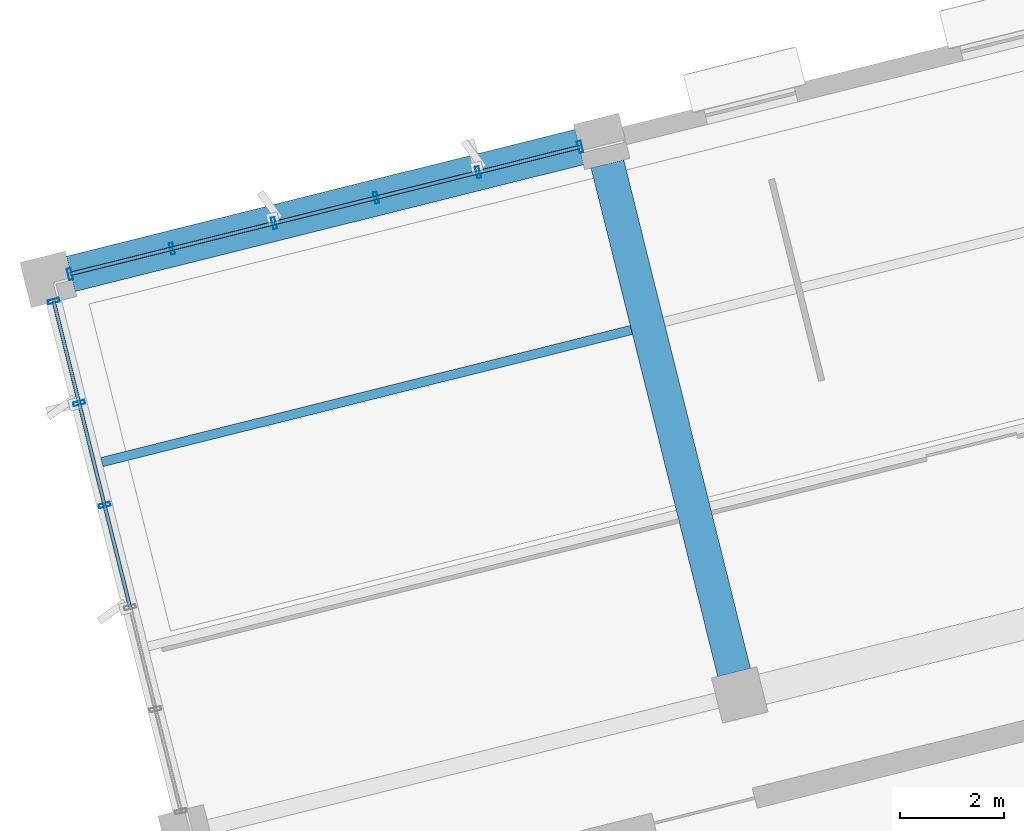
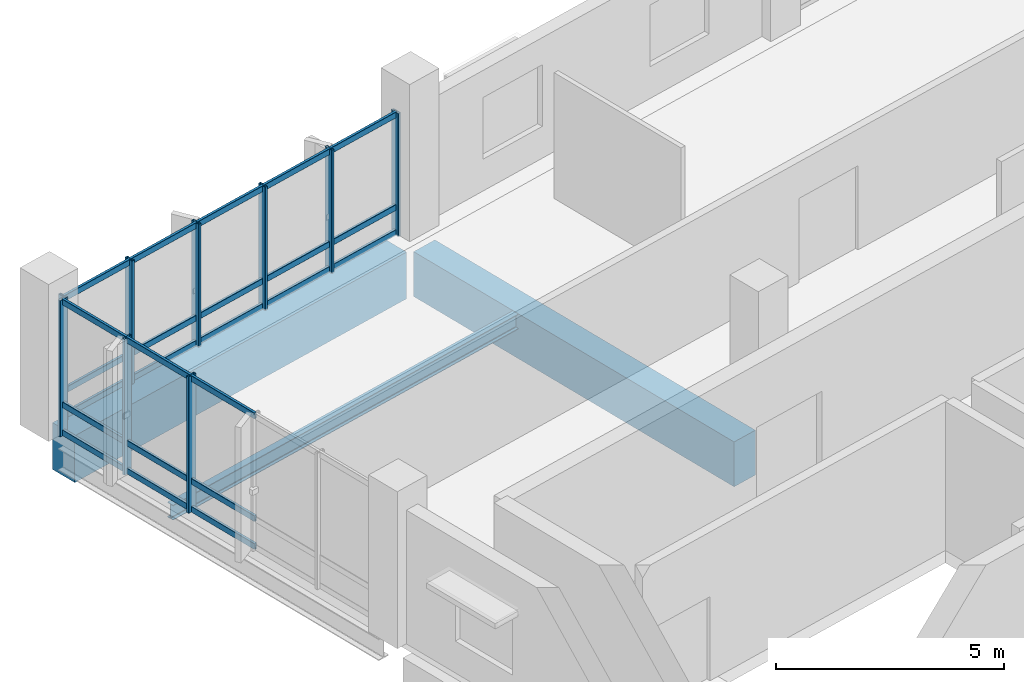
# One storey, part 5 of 22: 33 members, 3 beams, 2 elements without a shape of their own.
"""IFC4 building model written with IfcOpenShell, lengths in metres."""

from ifc_helpers import new_model, si_unit, direction, frame, origin, origin_2d, place, context, subcontext, project, spatial, rectangle, hollow_rectangle, i_section, extrude, material, layer, layer_set, material_profile, profile_set, type_object, element, aggregate, save


model = new_model("IFC4")

# Units and contexts
model_context = context("Model", 3, precision=1e-05, world=origin(), true_north=direction((0.0, 1.0)))
body_context = subcontext(model_context, "Body", "Model", "MODEL_VIEW")
ifc_project = project(units=[si_unit("LENGTHUNIT", "METRE"), si_unit("AREAUNIT", "SQUARE_METRE"), si_unit("VOLUMEUNIT", "CUBIC_METRE"), si_unit("PLANEANGLEUNIT", "RADIAN"), si_unit("MASSUNIT", "GRAM", prefix="KILO")], contexts=[model_context])

# Site, building, storey
site_placement = place(None, origin())
site = spatial("IfcSite", under=ifc_project, at=site_placement, CompositionType="ELEMENT")
building_placement = place(site_placement, origin())
building = spatial("IfcBuilding", under=site, at=building_placement, Name="Khorjan Park Terminus", CompositionType="ELEMENT")
storey_placement = place(building_placement, frame((0.0, 0.0, 24.6)))
storey = spatial("IfcBuildingStorey", under=building, at=storey_placement, Name="L05", CompositionType="ELEMENT", Elevation=24.6)

# Beams
ifc_material_1 = material(Name="Concrete C40/50", Category="concrete")
ifc_material_profile_1 = material_profile(ifc_material_1, rectangle(XDim=0.65, YDim=1.2, at=origin_2d()), Name="RC 650x1200")
ifc_profile_set_1 = profile_set([ifc_material_profile_1], Name="Concrete C40/50")
beam_type_1 = type_object("IfcBeamType", Name="BM-RC650x1200", PredefinedType="BEAM", material=ifc_profile_set_1)
beam_1_placement = place(storey_placement, frame((184.5777, 18.4273, -0.93), z_axis=(-0.241918830968, 0.970296490369, 0.0), x_axis=(-0.970296490369, -0.241918830968, 0.0)))
element("IfcBeam", 1, at=beam_1_placement, inside=storey, type_object=beam_type_1, Name="Primary skew-grid floor girder GB-12 (L05)", PredefinedType="BEAM", context=body_context, shape_type="SweptSolid", body=[
    extrude(rectangle(XDim=0.65, YDim=1.2, at=origin_2d()), origin(), (0.0, 0.0, 1.0), 10.11),
])
ifc_material_profile_2 = material_profile(ifc_material_1, rectangle(XDim=0.7, YDim=1.25, at=origin_2d()), Name="RC 700x1250")
ifc_profile_set_2 = profile_set([ifc_material_profile_2], Name="Concrete C40/50")
beam_type_2 = type_object("IfcBeamType", Name="BM-RC700x1250", PredefinedType="BEAM", material=ifc_profile_set_2)
beam_2_placement = place(storey_placement, frame((171.7828, 26.1153, -0.955), z_axis=(0.970295911482, 0.241921152779, 0.0), x_axis=(-0.241921152779, 0.970295911482, 0.0)))
element("IfcBeam", 2, at=beam_2_placement, inside=storey, type_object=beam_type_2, Name="Primary skew-grid floor girder GB-125 (L05)", PredefinedType="BEAM", context=body_context, shape_type="SweptSolid", body=[
    extrude(rectangle(XDim=0.7, YDim=1.25, at=origin_2d()), origin(), (0.0, 0.0, 1.0), 10.1099),
])
ifc_material_2 = material(Name="Steel S355", Category="steel")
ifc_material_profile_3 = material_profile(ifc_material_2, i_section(OverallWidth=0.18, OverallDepth=0.4, WebThickness=0.0086, FlangeThickness=0.0135, FilletRadius=0.021, at=origin_2d()), Name="IPE 400")
ifc_profile_set_3 = profile_set([ifc_material_profile_3], Name="Steel S355")
beam_type_3 = type_object("IfcBeamType", Name="JS-IPE400", PredefinedType="JOIST", material=ifc_profile_set_3)
beam_3_placement = place(storey_placement, frame((172.3836, 22.4862, -0.53), z_axis=(0.970296002015, 0.241920789668, 0.0), x_axis=(-0.241920789668, 0.970296002015, 0.0)))
element("IfcBeam", 3, at=beam_3_placement, inside=storey, type_object=beam_type_3, Name="Secondary composite floor joist SJ-40 (L05)", PredefinedType="JOIST", context=body_context, shape_type="SweptSolid", body=[
    extrude(i_section(OverallWidth=0.18, OverallDepth=0.4, WebThickness=0.0086, FlangeThickness=0.0135, FilletRadius=0.021, at=origin_2d()), origin(), (0.0, 0.0, 1.0), 10.5249),
])

# Curtain wall, members
ifc_material_3 = material(Name="Anodized Bronze Aluminium", Category="aluminium")
ifc_layer = layer(ifc_material_3, 0.22)
ifc_layer_set = layer_set([ifc_layer], Name="Anodized Bronze Aluminium")
curtain_wall_type = type_object("IfcCurtainWallType", Name="CW-OPS-B", PredefinedType="NOTDEFINED", material=ifc_layer_set)
curtain_wall_1_placement = place(storey_placement, origin())
curtain_wall_1 = element("IfcCurtainWall", 4, at=curtain_wall_1_placement, inside=storey, type_object=curtain_wall_type, Name="Unitized curtain wall CW-B (CW-V5-NW2-L05-B03)", PredefinedType="NOTDEFINED")
ifc_material_profile_4 = material_profile(ifc_material_3, hollow_rectangle(XDim=0.075, YDim=0.225, WallThickness=0.005, InnerFilletRadius=0.005, OuterFilletRadius=0.01, at=origin_2d()), Name="ALM 75x225x5")
ifc_profile_set_4 = profile_set([ifc_material_profile_4], Name="Anodized Bronze Aluminium")
member_type_1 = type_object("IfcMemberType", Name="ML-ALM-225", PredefinedType="MULLION", material=ifc_profile_set_4)
member_1_placement = place(storey_placement, frame((181.6068, 28.5647, -0.035), z_axis=(0.0, 0.0, 1.0), x_axis=(-0.9702960401, -0.241920636916, 0.0)))
member_1 = element("IfcMember", 5, at=member_1_placement, type_object=member_type_1, Name="Curtain-wall mullion ML-22 (CW-V5-NW2-L05-B03-0)", PredefinedType="MULLION", context=body_context, shape_type="SweptSolid", body=[
    extrude(hollow_rectangle(XDim=0.075, YDim=0.225, WallThickness=0.005, InnerFilletRadius=0.005, OuterFilletRadius=0.01, at=origin_2d()), origin(), (0.0, 0.0, 1.0), 3.295),
])
member_2_placement = place(storey_placement, frame((179.6391, 28.0741, -0.035), z_axis=(0.0, 0.0, 1.0), x_axis=(-0.9702960401, -0.241920636916, 0.0)))
member_2 = element("IfcMember", 6, at=member_2_placement, type_object=member_type_1, Name="Curtain-wall mullion ML-22 (CW-V5-NW2-L05-B03-1)", PredefinedType="MULLION", context=body_context, shape_type="SweptSolid", body=[
    extrude(hollow_rectangle(XDim=0.075, YDim=0.225, WallThickness=0.005, InnerFilletRadius=0.005, OuterFilletRadius=0.01, at=origin_2d()), origin(), (0.0, 0.0, 1.0), 3.295),
])
member_3_placement = place(storey_placement, frame((177.6714, 27.5835, -0.035), z_axis=(0.0, 0.0, 1.0), x_axis=(-0.9702960401, -0.241920636916, 0.0)))
member_3 = element("IfcMember", 7, at=member_3_placement, type_object=member_type_1, Name="Curtain-wall mullion ML-22 (CW-V5-NW2-L05-B03-2)", PredefinedType="MULLION", context=body_context, shape_type="SweptSolid", body=[
    extrude(hollow_rectangle(XDim=0.075, YDim=0.225, WallThickness=0.005, InnerFilletRadius=0.005, OuterFilletRadius=0.01, at=origin_2d()), origin(), (0.0, 0.0, 1.0), 3.295),
])
member_4_placement = place(storey_placement, frame((175.7037, 27.0929, -0.035), z_axis=(0.0, 0.0, 1.0), x_axis=(-0.9702960401, -0.241920636916, 0.0)))
member_4 = element("IfcMember", 8, at=member_4_placement, type_object=member_type_1, Name="Curtain-wall mullion ML-22 (CW-V5-NW2-L05-B03-3)", PredefinedType="MULLION", context=body_context, shape_type="SweptSolid", body=[
    extrude(hollow_rectangle(XDim=0.075, YDim=0.225, WallThickness=0.005, InnerFilletRadius=0.005, OuterFilletRadius=0.01, at=origin_2d()), origin(), (0.0, 0.0, 1.0), 3.295),
])
member_5_placement = place(storey_placement, frame((173.736, 26.6023, -0.035), z_axis=(0.0, 0.0, 1.0), x_axis=(-0.9702960401, -0.241920636916, 0.0)))
member_5 = element("IfcMember", 9, at=member_5_placement, type_object=member_type_1, Name="Curtain-wall mullion ML-22 (CW-V5-NW2-L05-B03-4)", PredefinedType="MULLION", context=body_context, shape_type="SweptSolid", body=[
    extrude(hollow_rectangle(XDim=0.075, YDim=0.225, WallThickness=0.005, InnerFilletRadius=0.005, OuterFilletRadius=0.01, at=origin_2d()), origin(), (0.0, 0.0, 1.0), 3.295),
])
member_6_placement = place(storey_placement, frame((171.7683, 26.1117, -0.035), z_axis=(0.0, 0.0, 1.0), x_axis=(-0.9702960401, -0.241920636916, 0.0)))
member_6 = element("IfcMember", 10, at=member_6_placement, type_object=member_type_1, Name="Curtain-wall mullion ML-22 (CW-V5-NW2-L05-B03-5)", PredefinedType="MULLION", context=body_context, shape_type="SweptSolid", body=[
    extrude(hollow_rectangle(XDim=0.075, YDim=0.225, WallThickness=0.005, InnerFilletRadius=0.005, OuterFilletRadius=0.01, at=origin_2d()), origin(), (0.0, 0.0, 1.0), 3.295),
])

curtain_wall_2_placement = place(storey_placement, origin())
curtain_wall_2 = element("IfcCurtainWall", 11, at=curtain_wall_2_placement, inside=storey, type_object=curtain_wall_type, Name="Unitized curtain wall CW-B (CW-V5-W-L05-B01)", PredefinedType="NOTDEFINED")
member_7_placement = place(storey_placement, frame((171.4549, 25.5907, -0.035), z_axis=(0.0, 0.0, 1.0), x_axis=(0.241927656308, -0.970294289952, 0.0)))
member_7 = element("IfcMember", 12, at=member_7_placement, type_object=member_type_1, Name="Curtain-wall mullion ML-22 (CW-V5-W-L05-B01-0)", PredefinedType="MULLION", context=body_context, shape_type="SweptSolid", body=[
    extrude(hollow_rectangle(XDim=0.075, YDim=0.225, WallThickness=0.005, InnerFilletRadius=0.005, OuterFilletRadius=0.01, at=origin_2d()), origin(), (0.0, 0.0, 1.0), 3.645),
])
member_8_placement = place(storey_placement, frame((171.9456, 23.6228, -0.035), z_axis=(0.0, 0.0, 1.0), x_axis=(0.241927656308, -0.970294289952, 0.0)))
member_8 = element("IfcMember", 13, at=member_8_placement, type_object=member_type_1, Name="Curtain-wall mullion ML-22 (CW-V5-W-L05-B01-1)", PredefinedType="MULLION", context=body_context, shape_type="SweptSolid", body=[
    extrude(hollow_rectangle(XDim=0.075, YDim=0.225, WallThickness=0.005, InnerFilletRadius=0.005, OuterFilletRadius=0.01, at=origin_2d()), origin(), (0.0, 0.0, 1.0), 3.645),
])
member_9_placement = place(storey_placement, frame((172.4362, 21.6549, -0.035), z_axis=(0.0, 0.0, 1.0), x_axis=(0.241927656308, -0.970294289952, 0.0)))
member_9 = element("IfcMember", 14, at=member_9_placement, type_object=member_type_1, Name="Curtain-wall mullion ML-22 (CW-V5-W-L05-B01-2)", PredefinedType="MULLION", context=body_context, shape_type="SweptSolid", body=[
    extrude(hollow_rectangle(XDim=0.075, YDim=0.225, WallThickness=0.005, InnerFilletRadius=0.005, OuterFilletRadius=0.01, at=origin_2d()), origin(), (0.0, 0.0, 1.0), 3.645),
])

# Member
ifc_material_profile_5 = material_profile(ifc_material_3, hollow_rectangle(XDim=0.07, YDim=0.16, WallThickness=0.004, InnerFilletRadius=0.004, OuterFilletRadius=0.008, at=origin_2d()), Name="ALT 70x160x4")
ifc_profile_set_5 = profile_set([ifc_material_profile_5], Name="Anodized Bronze Aluminium")
member_type_2 = type_object("IfcMemberType", Name="TR-ALT-160", PredefinedType="USERDEFINED", material=ifc_profile_set_5)
member_10_placement = place(storey_placement, frame((181.6068, 28.5647, 0.04), z_axis=(-0.970296040099, -0.241920636922, 0.0), x_axis=(0.241920636922, -0.970296040099, 0.0)))
member_10 = element("IfcMember", 15, at=member_10_placement, type_object=member_type_2, Name="Curtain-wall transom TR-16 (CW-V5-NW2-L05-B03-0-1)", ObjectType="TRANSOM", PredefinedType="USERDEFINED", context=body_context, shape_type="SweptSolid", body=[
    extrude(hollow_rectangle(XDim=0.07, YDim=0.16, WallThickness=0.004, InnerFilletRadius=0.004, OuterFilletRadius=0.008, at=origin_2d()), origin(), (0.0, 0.0, 1.0), 2.0279),
])

member_11_placement = place(storey_placement, frame((181.6068, 28.5647, 0.709), z_axis=(-0.970296040099, -0.241920636922, 0.0), x_axis=(0.241920636922, -0.970296040099, 0.0)))
member_11 = element("IfcMember", 16, at=member_11_placement, type_object=member_type_2, Name="Curtain-wall transom TR-16 (CW-V5-NW2-L05-B03-0-2)", ObjectType="TRANSOM", PredefinedType="USERDEFINED", context=body_context, shape_type="SweptSolid", body=[
    extrude(hollow_rectangle(XDim=0.07, YDim=0.16, WallThickness=0.004, InnerFilletRadius=0.004, OuterFilletRadius=0.008, at=origin_2d()), origin(), (0.0, 0.0, 1.0), 2.0279),
])

member_12_placement = place(storey_placement, frame((181.6068, 28.5647, 3.185), z_axis=(-0.970296040099, -0.241920636922, 0.0), x_axis=(0.241920636922, -0.970296040099, 0.0)))
member_12 = element("IfcMember", 17, at=member_12_placement, type_object=member_type_2, Name="Curtain-wall transom TR-16 (CW-V5-NW2-L05-B03-0-3)", ObjectType="TRANSOM", PredefinedType="USERDEFINED", context=body_context, shape_type="SweptSolid", body=[
    extrude(hollow_rectangle(XDim=0.07, YDim=0.16, WallThickness=0.004, InnerFilletRadius=0.004, OuterFilletRadius=0.008, at=origin_2d()), origin(), (0.0, 0.0, 1.0), 2.0279),
])

member_13_placement = place(storey_placement, frame((179.6391, 28.0741, 0.04), z_axis=(-0.970296040099, -0.241920636922, 0.0), x_axis=(0.241920636922, -0.970296040099, 0.0)))
member_13 = element("IfcMember", 18, at=member_13_placement, type_object=member_type_2, Name="Curtain-wall transom TR-16 (CW-V5-NW2-L05-B03-1-1)", ObjectType="TRANSOM", PredefinedType="USERDEFINED", context=body_context, shape_type="SweptSolid", body=[
    extrude(hollow_rectangle(XDim=0.07, YDim=0.16, WallThickness=0.004, InnerFilletRadius=0.004, OuterFilletRadius=0.008, at=origin_2d()), origin(), (0.0, 0.0, 1.0), 2.0279),
])

member_14_placement = place(storey_placement, frame((179.6391, 28.0741, 0.709), z_axis=(-0.970296040099, -0.241920636922, 0.0), x_axis=(0.241920636922, -0.970296040099, 0.0)))
member_14 = element("IfcMember", 19, at=member_14_placement, type_object=member_type_2, Name="Curtain-wall transom TR-16 (CW-V5-NW2-L05-B03-1-2)", ObjectType="TRANSOM", PredefinedType="USERDEFINED", context=body_context, shape_type="SweptSolid", body=[
    extrude(hollow_rectangle(XDim=0.07, YDim=0.16, WallThickness=0.004, InnerFilletRadius=0.004, OuterFilletRadius=0.008, at=origin_2d()), origin(), (0.0, 0.0, 1.0), 2.0279),
])

member_15_placement = place(storey_placement, frame((179.6391, 28.0741, 3.185), z_axis=(-0.970296040099, -0.241920636922, 0.0), x_axis=(0.241920636922, -0.970296040099, 0.0)))
member_15 = element("IfcMember", 20, at=member_15_placement, type_object=member_type_2, Name="Curtain-wall transom TR-16 (CW-V5-NW2-L05-B03-1-3)", ObjectType="TRANSOM", PredefinedType="USERDEFINED", context=body_context, shape_type="SweptSolid", body=[
    extrude(hollow_rectangle(XDim=0.07, YDim=0.16, WallThickness=0.004, InnerFilletRadius=0.004, OuterFilletRadius=0.008, at=origin_2d()), origin(), (0.0, 0.0, 1.0), 2.0279),
])

member_16_placement = place(storey_placement, frame((177.6714, 27.5835, 0.04), z_axis=(-0.970296040099, -0.241920636922, 0.0), x_axis=(0.241920636922, -0.970296040099, 0.0)))
member_16 = element("IfcMember", 21, at=member_16_placement, type_object=member_type_2, Name="Curtain-wall transom TR-16 (CW-V5-NW2-L05-B03-2-1)", ObjectType="TRANSOM", PredefinedType="USERDEFINED", context=body_context, shape_type="SweptSolid", body=[
    extrude(hollow_rectangle(XDim=0.07, YDim=0.16, WallThickness=0.004, InnerFilletRadius=0.004, OuterFilletRadius=0.008, at=origin_2d()), origin(), (0.0, 0.0, 1.0), 2.0279),
])

member_17_placement = place(storey_placement, frame((177.6714, 27.5835, 0.709), z_axis=(-0.970296040099, -0.241920636922, 0.0), x_axis=(0.241920636922, -0.970296040099, 0.0)))
member_17 = element("IfcMember", 22, at=member_17_placement, type_object=member_type_2, Name="Curtain-wall transom TR-16 (CW-V5-NW2-L05-B03-2-2)", ObjectType="TRANSOM", PredefinedType="USERDEFINED", context=body_context, shape_type="SweptSolid", body=[
    extrude(hollow_rectangle(XDim=0.07, YDim=0.16, WallThickness=0.004, InnerFilletRadius=0.004, OuterFilletRadius=0.008, at=origin_2d()), origin(), (0.0, 0.0, 1.0), 2.0279),
])

member_18_placement = place(storey_placement, frame((177.6714, 27.5835, 3.185), z_axis=(-0.970296040099, -0.241920636922, 0.0), x_axis=(0.241920636922, -0.970296040099, 0.0)))
member_18 = element("IfcMember", 23, at=member_18_placement, type_object=member_type_2, Name="Curtain-wall transom TR-16 (CW-V5-NW2-L05-B03-2-3)", ObjectType="TRANSOM", PredefinedType="USERDEFINED", context=body_context, shape_type="SweptSolid", body=[
    extrude(hollow_rectangle(XDim=0.07, YDim=0.16, WallThickness=0.004, InnerFilletRadius=0.004, OuterFilletRadius=0.008, at=origin_2d()), origin(), (0.0, 0.0, 1.0), 2.0279),
])

member_19_placement = place(storey_placement, frame((175.7037, 27.0929, 0.04), z_axis=(-0.970296040099, -0.241920636922, 0.0), x_axis=(0.241920636922, -0.970296040099, 0.0)))
member_19 = element("IfcMember", 24, at=member_19_placement, type_object=member_type_2, Name="Curtain-wall transom TR-16 (CW-V5-NW2-L05-B03-3-1)", ObjectType="TRANSOM", PredefinedType="USERDEFINED", context=body_context, shape_type="SweptSolid", body=[
    extrude(hollow_rectangle(XDim=0.07, YDim=0.16, WallThickness=0.004, InnerFilletRadius=0.004, OuterFilletRadius=0.008, at=origin_2d()), origin(), (0.0, 0.0, 1.0), 2.0279),
])

member_20_placement = place(storey_placement, frame((175.7037, 27.0929, 0.709), z_axis=(-0.970296040099, -0.241920636922, 0.0), x_axis=(0.241920636922, -0.970296040099, 0.0)))
member_20 = element("IfcMember", 25, at=member_20_placement, type_object=member_type_2, Name="Curtain-wall transom TR-16 (CW-V5-NW2-L05-B03-3-2)", ObjectType="TRANSOM", PredefinedType="USERDEFINED", context=body_context, shape_type="SweptSolid", body=[
    extrude(hollow_rectangle(XDim=0.07, YDim=0.16, WallThickness=0.004, InnerFilletRadius=0.004, OuterFilletRadius=0.008, at=origin_2d()), origin(), (0.0, 0.0, 1.0), 2.0279),
])

member_21_placement = place(storey_placement, frame((175.7037, 27.0929, 3.185), z_axis=(-0.970296040099, -0.241920636922, 0.0), x_axis=(0.241920636922, -0.970296040099, 0.0)))
member_21 = element("IfcMember", 26, at=member_21_placement, type_object=member_type_2, Name="Curtain-wall transom TR-16 (CW-V5-NW2-L05-B03-3-3)", ObjectType="TRANSOM", PredefinedType="USERDEFINED", context=body_context, shape_type="SweptSolid", body=[
    extrude(hollow_rectangle(XDim=0.07, YDim=0.16, WallThickness=0.004, InnerFilletRadius=0.004, OuterFilletRadius=0.008, at=origin_2d()), origin(), (0.0, 0.0, 1.0), 2.0279),
])

member_22_placement = place(storey_placement, frame((173.736, 26.6023, 0.04), z_axis=(-0.970296040099, -0.241920636922, 0.0), x_axis=(0.241920636922, -0.970296040099, 0.0)))
member_22 = element("IfcMember", 27, at=member_22_placement, type_object=member_type_2, Name="Curtain-wall transom TR-16 (CW-V5-NW2-L05-B03-4-1)", ObjectType="TRANSOM", PredefinedType="USERDEFINED", context=body_context, shape_type="SweptSolid", body=[
    extrude(hollow_rectangle(XDim=0.07, YDim=0.16, WallThickness=0.004, InnerFilletRadius=0.004, OuterFilletRadius=0.008, at=origin_2d()), origin(), (0.0, 0.0, 1.0), 2.0279),
])

member_23_placement = place(storey_placement, frame((173.736, 26.6023, 0.709), z_axis=(-0.970296040099, -0.241920636922, 0.0), x_axis=(0.241920636922, -0.970296040099, 0.0)))
member_23 = element("IfcMember", 28, at=member_23_placement, type_object=member_type_2, Name="Curtain-wall transom TR-16 (CW-V5-NW2-L05-B03-4-2)", ObjectType="TRANSOM", PredefinedType="USERDEFINED", context=body_context, shape_type="SweptSolid", body=[
    extrude(hollow_rectangle(XDim=0.07, YDim=0.16, WallThickness=0.004, InnerFilletRadius=0.004, OuterFilletRadius=0.008, at=origin_2d()), origin(), (0.0, 0.0, 1.0), 2.0279),
])

member_24_placement = place(storey_placement, frame((173.736, 26.6023, 3.185), z_axis=(-0.970296040099, -0.241920636922, 0.0), x_axis=(0.241920636922, -0.970296040099, 0.0)))
member_24 = element("IfcMember", 29, at=member_24_placement, type_object=member_type_2, Name="Curtain-wall transom TR-16 (CW-V5-NW2-L05-B03-4-3)", ObjectType="TRANSOM", PredefinedType="USERDEFINED", context=body_context, shape_type="SweptSolid", body=[
    extrude(hollow_rectangle(XDim=0.07, YDim=0.16, WallThickness=0.004, InnerFilletRadius=0.004, OuterFilletRadius=0.008, at=origin_2d()), origin(), (0.0, 0.0, 1.0), 2.0279),
])

aggregate(curtain_wall_1, [member_1, member_2, member_3, member_4, member_5, member_6, member_10, member_11, member_12, member_13, member_14, member_15, member_16, member_17, member_18, member_19, member_20, member_21, member_22, member_23, member_24])

member_25_placement = place(storey_placement, frame((171.4549, 25.5907, 0.04), z_axis=(0.241943909477, -0.970290237335, 0.0), x_axis=(0.970290237335, 0.241943909477, 0.0)))
member_25 = element("IfcMember", 30, at=member_25_placement, type_object=member_type_2, Name="Curtain-wall transom TR-16 (CW-V5-W-L05-B01-0-1)", ObjectType="TRANSOM", PredefinedType="USERDEFINED", context=body_context, shape_type="SweptSolid", body=[
    extrude(hollow_rectangle(XDim=0.07, YDim=0.16, WallThickness=0.004, InnerFilletRadius=0.004, OuterFilletRadius=0.008, at=origin_2d()), origin(), (0.0, 0.0, 1.0), 2.0282),
])

member_26_placement = place(storey_placement, frame((171.4549, 25.5907, 0.786), z_axis=(0.241943909477, -0.970290237335, 0.0), x_axis=(0.970290237335, 0.241943909477, 0.0)))
member_26 = element("IfcMember", 31, at=member_26_placement, type_object=member_type_2, Name="Curtain-wall transom TR-16 (CW-V5-W-L05-B01-0-2)", ObjectType="TRANSOM", PredefinedType="USERDEFINED", context=body_context, shape_type="SweptSolid", body=[
    extrude(hollow_rectangle(XDim=0.07, YDim=0.16, WallThickness=0.004, InnerFilletRadius=0.004, OuterFilletRadius=0.008, at=origin_2d()), origin(), (0.0, 0.0, 1.0), 2.0282),
])

member_27_placement = place(storey_placement, frame((171.4549, 25.5907, 3.535), z_axis=(0.241943909477, -0.970290237335, 0.0), x_axis=(0.970290237335, 0.241943909477, 0.0)))
member_27 = element("IfcMember", 32, at=member_27_placement, type_object=member_type_2, Name="Curtain-wall transom TR-16 (CW-V5-W-L05-B01-0-3)", ObjectType="TRANSOM", PredefinedType="USERDEFINED", context=body_context, shape_type="SweptSolid", body=[
    extrude(hollow_rectangle(XDim=0.07, YDim=0.16, WallThickness=0.004, InnerFilletRadius=0.004, OuterFilletRadius=0.008, at=origin_2d()), origin(), (0.0, 0.0, 1.0), 2.0282),
])

member_28_placement = place(storey_placement, frame((171.9456, 23.6228, 0.04), z_axis=(0.241897488986, -0.970301811202, 0.0), x_axis=(0.970301811202, 0.241897488986, 0.0)))
member_28 = element("IfcMember", 33, at=member_28_placement, type_object=member_type_2, Name="Curtain-wall transom TR-16 (CW-V5-W-L05-B01-1-1)", ObjectType="TRANSOM", PredefinedType="USERDEFINED", context=body_context, shape_type="SweptSolid", body=[
    extrude(hollow_rectangle(XDim=0.07, YDim=0.16, WallThickness=0.004, InnerFilletRadius=0.004, OuterFilletRadius=0.008, at=origin_2d()), origin(), (0.0, 0.0, 1.0), 2.0281),
])

member_29_placement = place(storey_placement, frame((171.9456, 23.6228, 0.786), z_axis=(0.241897488986, -0.970301811202, 0.0), x_axis=(0.970301811202, 0.241897488986, 0.0)))
member_29 = element("IfcMember", 34, at=member_29_placement, type_object=member_type_2, Name="Curtain-wall transom TR-16 (CW-V5-W-L05-B01-1-2)", ObjectType="TRANSOM", PredefinedType="USERDEFINED", context=body_context, shape_type="SweptSolid", body=[
    extrude(hollow_rectangle(XDim=0.07, YDim=0.16, WallThickness=0.004, InnerFilletRadius=0.004, OuterFilletRadius=0.008, at=origin_2d()), origin(), (0.0, 0.0, 1.0), 2.0281),
])

member_30_placement = place(storey_placement, frame((171.9456, 23.6228, 3.535), z_axis=(0.241897488986, -0.970301811202, 0.0), x_axis=(0.970301811202, 0.241897488986, 0.0)))
member_30 = element("IfcMember", 35, at=member_30_placement, type_object=member_type_2, Name="Curtain-wall transom TR-16 (CW-V5-W-L05-B01-1-3)", ObjectType="TRANSOM", PredefinedType="USERDEFINED", context=body_context, shape_type="SweptSolid", body=[
    extrude(hollow_rectangle(XDim=0.07, YDim=0.16, WallThickness=0.004, InnerFilletRadius=0.004, OuterFilletRadius=0.008, at=origin_2d()), origin(), (0.0, 0.0, 1.0), 2.0281),
])

member_31_placement = place(storey_placement, frame((172.4362, 21.6549, 0.04), z_axis=(0.241955484854, -0.970287350917, 0.0), x_axis=(0.970287350917, 0.241955484854, 0.0)))
member_31 = element("IfcMember", 36, at=member_31_placement, type_object=member_type_2, Name="Curtain-wall transom TR-16 (CW-V5-W-L05-B01-2-1)", ObjectType="TRANSOM", PredefinedType="USERDEFINED", context=body_context, shape_type="SweptSolid", body=[
    extrude(hollow_rectangle(XDim=0.07, YDim=0.16, WallThickness=0.004, InnerFilletRadius=0.004, OuterFilletRadius=0.008, at=origin_2d()), origin(), (0.0, 0.0, 1.0), 2.0281),
])

member_32_placement = place(storey_placement, frame((172.4362, 21.6549, 0.786), z_axis=(0.241955484854, -0.970287350917, 0.0), x_axis=(0.970287350917, 0.241955484854, 0.0)))
member_32 = element("IfcMember", 37, at=member_32_placement, type_object=member_type_2, Name="Curtain-wall transom TR-16 (CW-V5-W-L05-B01-2-2)", ObjectType="TRANSOM", PredefinedType="USERDEFINED", context=body_context, shape_type="SweptSolid", body=[
    extrude(hollow_rectangle(XDim=0.07, YDim=0.16, WallThickness=0.004, InnerFilletRadius=0.004, OuterFilletRadius=0.008, at=origin_2d()), origin(), (0.0, 0.0, 1.0), 2.0281),
])

member_33_placement = place(storey_placement, frame((172.4362, 21.6549, 3.535), z_axis=(0.241955484854, -0.970287350917, 0.0), x_axis=(0.970287350917, 0.241955484854, 0.0)))
member_33 = element("IfcMember", 38, at=member_33_placement, type_object=member_type_2, Name="Curtain-wall transom TR-16 (CW-V5-W-L05-B01-2-3)", ObjectType="TRANSOM", PredefinedType="USERDEFINED", context=body_context, shape_type="SweptSolid", body=[
    extrude(hollow_rectangle(XDim=0.07, YDim=0.16, WallThickness=0.004, InnerFilletRadius=0.004, OuterFilletRadius=0.008, at=origin_2d()), origin(), (0.0, 0.0, 1.0), 2.0281),
])

aggregate(curtain_wall_2, [member_7, member_8, member_9, member_25, member_26, member_27, member_28, member_29, member_30, member_31, member_32, member_33])

save(model, "model.ifc")
